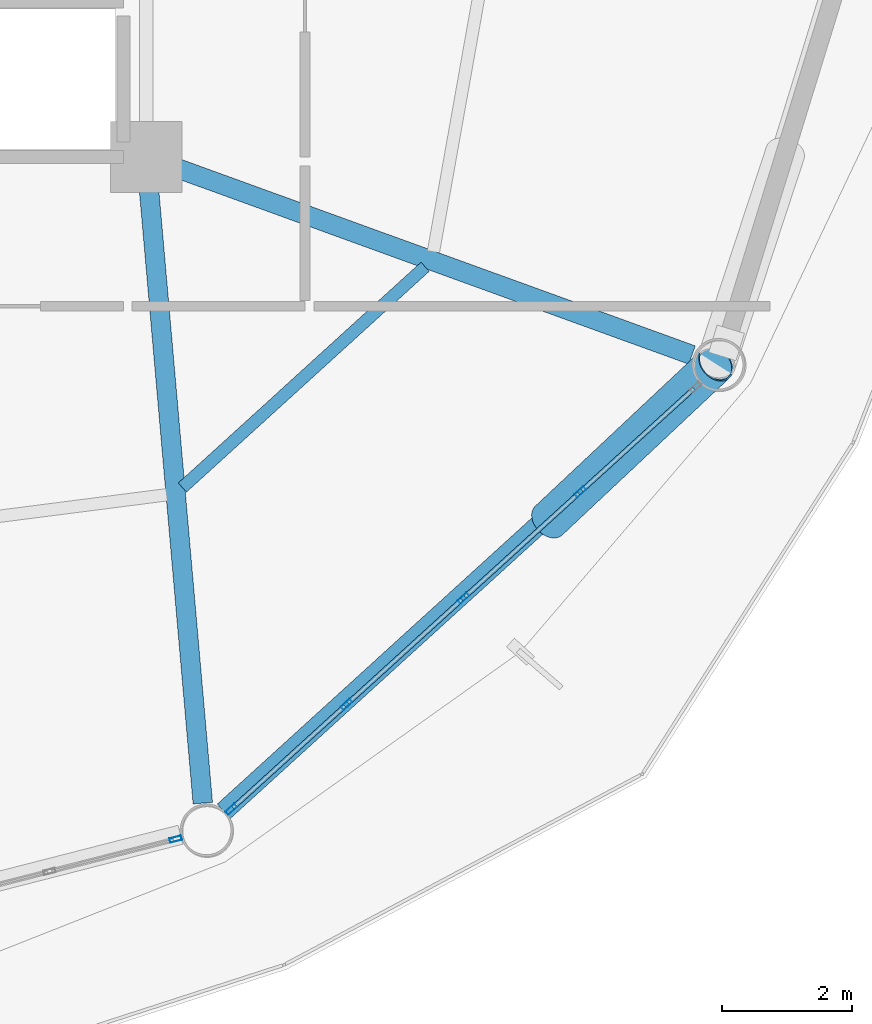
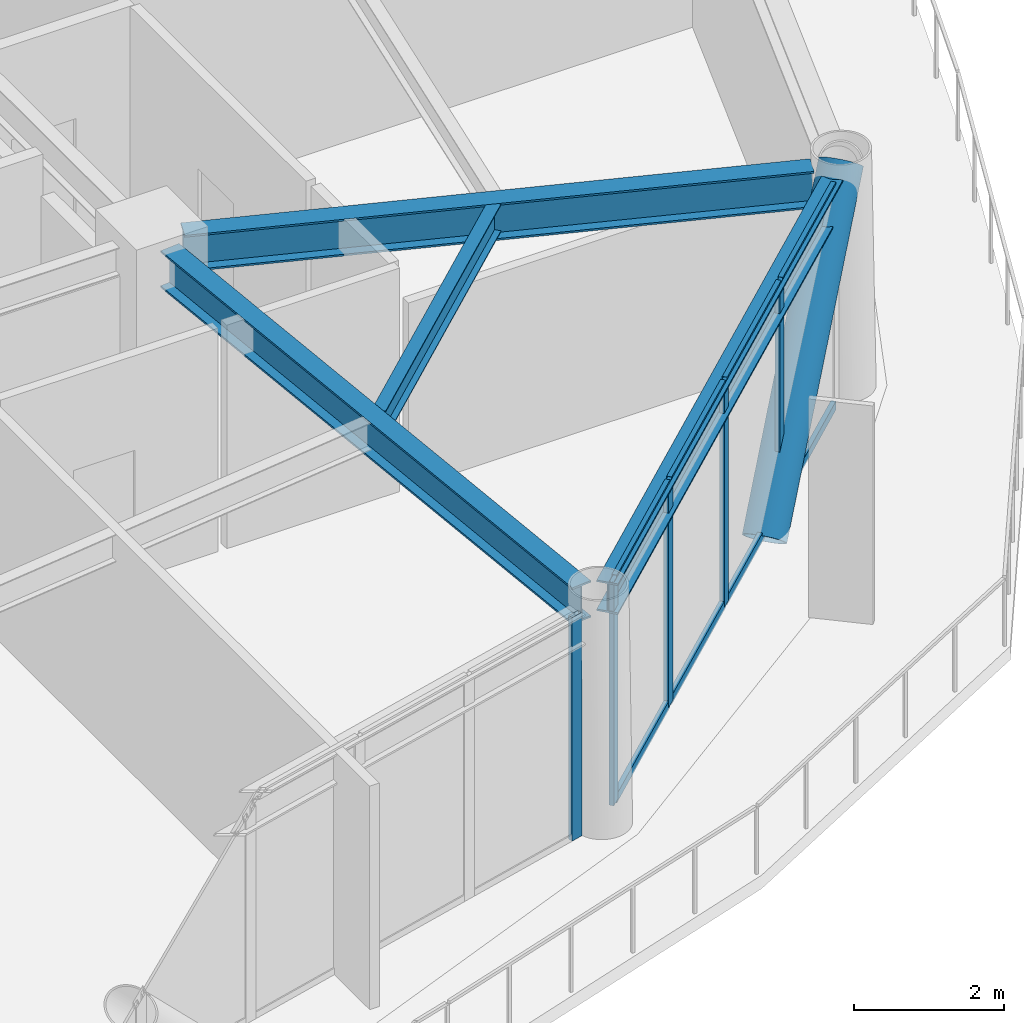
# One storey, part 12 of 26: 14 members, 4 beams, 2 elements without a shape of their own.
"""IFC4 building model written with IfcOpenShell, lengths in metres."""

from ifc_helpers import new_model, si_unit, direction, frame, origin, origin_2d, place, context, subcontext, project, spatial, hollow_rectangle, hollow_circle, i_section, extrude, material, layer, layer_set, material_profile, profile_set, type_object, element, aggregate, save


model = new_model("IFC4")

# Units and contexts
model_context = context("Model", 3, precision=1e-05, world=origin(), true_north=direction((0.0, 1.0)))
body_context = subcontext(model_context, "Body", "Model", "MODEL_VIEW")
ifc_project = project(units=[si_unit("LENGTHUNIT", "METRE"), si_unit("AREAUNIT", "SQUARE_METRE"), si_unit("VOLUMEUNIT", "CUBIC_METRE"), si_unit("PLANEANGLEUNIT", "RADIAN"), si_unit("MASSUNIT", "GRAM", prefix="KILO")], contexts=[model_context])

# Site, building, storey
site_placement = place(None, origin())
site = spatial("IfcSite", under=ifc_project, at=site_placement, CompositionType="ELEMENT")
building_placement = place(site_placement, origin())
building = spatial("IfcBuilding", under=site, at=building_placement, Name="Varnakorn Sky Granary", CompositionType="ELEMENT")
storey_placement = place(building_placement, frame((0.0, 0.0, 95.39990234375)))
storey = spatial("IfcBuildingStorey", under=building, at=storey_placement, Name="L23", CompositionType="ELEMENT", Elevation=95.39990234375)

# Beams
ifc_material_1 = material(Name="Steel S355JR", Category="steel")
ifc_material_profile_1 = material_profile(ifc_material_1, i_section(OverallWidth=0.300048828125, OverallDepth=0.60009765625, WebThickness=0.015380859375, FlangeThickness=0.030029296875, at=origin_2d()), Name="HE 600 B")
ifc_profile_set_1 = profile_set([ifc_material_profile_1], Name="Steel S355JR")
beam_type_1 = type_object("IfcBeamType", Name="BM-RAD-Z2", PredefinedType="BEAM", material=ifc_profile_set_1)
beam_1_placement = place(storey_placement, frame((8.38671875, -7.018310546875, 3.340087890625), z_axis=(0.087352240133, -0.99617748727, 0.0), x_axis=(0.99617748727, 0.087352240133, 0.0)))
element("IfcBeam", 1, at=beam_1_placement, inside=storey, type_object=beam_type_1, Name="Radial Floor Girder RG11 L23", PredefinedType="BEAM", context=body_context, shape_type="SweptSolid", body=[
    extrude(i_section(OverallWidth=0.300048828125, OverallDepth=0.60009765625, WebThickness=0.015380859375, FlangeThickness=0.030029296875, at=origin_2d()), origin(), (0.0, 0.0, 1.0), 9.578125),
])
beam_2_placement = place(storey_placement, frame((8.744873046875, -6.7431640625, 3.340087890625), z_axis=(0.940048009667, -0.341042137457, 0.0), x_axis=(0.341042137457, 0.940048009667, 0.0)))
element("IfcBeam", 2, at=beam_2_placement, inside=storey, type_object=beam_type_1, Name="Radial Floor Girder RG12 L23", PredefinedType="BEAM", context=body_context, shape_type="SweptSolid", body=[
    extrude(i_section(OverallWidth=0.300048828125, OverallDepth=0.60009765625, WebThickness=0.015380859375, FlangeThickness=0.030029296875, at=origin_2d()), origin(), (0.0, 0.0, 1.0), 8.531005859375),
])
ifc_material_profile_2 = material_profile(ifc_material_1, i_section(OverallWidth=0.18994140625, OverallDepth=0.449951171875, WebThickness=0.009521484375, FlangeThickness=0.0146484375, at=origin_2d()), Name="IPE 450")
ifc_profile_set_2 = profile_set([ifc_material_profile_2], Name="Steel S355JR")
beam_type_2 = type_object("IfcBeamType", Name="BM-SEC-Z2", PredefinedType="BEAM", material=ifc_profile_set_2)
beam_3_placement = place(storey_placement, frame((8.90869140625, -11.69482421875, 3.4150390625), z_axis=(0.739878918068, 0.672740058714, 0.0), x_axis=(-0.672740058714, 0.739878918068, 0.0)))
element("IfcBeam", 3, at=beam_3_placement, inside=storey, type_object=beam_type_2, Name="Secondary Floor Chord Beam MSB11 L23", PredefinedType="BEAM", context=body_context, shape_type="SweptSolid", body=[
    extrude(i_section(OverallWidth=0.18994140625, OverallDepth=0.449951171875, WebThickness=0.009521484375, FlangeThickness=0.0146484375, at=origin_2d()), origin(), (0.0, 0.0, 1.0), 5.05810546875),
])
ifc_material_profile_3 = material_profile(ifc_material_1, i_section(OverallWidth=0.300048828125, OverallDepth=0.5, WebThickness=0.014404296875, FlangeThickness=0.028076171875, at=origin_2d()), Name="HE 500 B")
ifc_profile_set_3 = profile_set([ifc_material_profile_3], Name="Steel S355JR")
beam_type_3 = type_object("IfcBeamType", Name="BM-SPD-Z2", PredefinedType="SPANDREL", material=ifc_profile_set_3)
beam_4_placement = place(storey_placement, frame((9.547119140625, -16.686279296875, 3.39013671875), z_axis=(0.739721624691, 0.67291300921, 0.0), x_axis=(-0.67291300921, 0.739721624691, 0.0)))
element("IfcBeam", 4, at=beam_4_placement, inside=storey, type_object=beam_type_3, Name="Perimeter Spandrel Ring Beam RB11 L23", PredefinedType="SPANDREL", context=body_context, shape_type="SweptSolid", body=[
    extrude(i_section(OverallWidth=0.300048828125, OverallDepth=0.5, WebThickness=0.014404296875, FlangeThickness=0.028076171875, at=origin_2d()), origin(), (0.0, 0.0, 1.0), 9.863037109375),
])

# Curtain wall, member
ifc_material_2 = material(Name="Anodised Bronze Aluminium Alloy 6063-T6", Category="aluminium")
ifc_layer = layer(ifc_material_2, 0.18994140625, Name="Anodised Bronze Aluminium Alloy 6063-T6")
ifc_layer_set = layer_set([ifc_layer], Name="Anodised Bronze Aluminium Alloy 6063-T6")
curtain_wall_type = type_object("IfcCurtainWallType", Name="CW-FRM-1", PredefinedType="USERDEFINED", material=ifc_layer_set)
curtain_wall_1_placement = place(storey_placement, origin())
curtain_wall_1 = element("IfcCurtainWall", 5, at=curtain_wall_1_placement, inside=storey, type_object=curtain_wall_type, Name="Unitised Curtain Wall CW3 CW-L23-B10", ObjectType="CURTAIN WALL", PredefinedType="USERDEFINED")
ifc_material_profile_4 = material_profile(ifc_material_2, hollow_rectangle(XDim=0.070068359375, YDim=0.18505859375, WallThickness=0.00390625, at=origin_2d()), Name="ALU MULL 70x185")
ifc_profile_set_4 = profile_set([ifc_material_profile_4], Name="Anodised Bronze Aluminium Alloy 6063-T6")
member_type_1 = type_object("IfcMemberType", Name="CW-FRM-1-MULL", PredefinedType="MULLION", material=ifc_profile_set_4)
member_1_placement = place(storey_placement, frame((8.80517578125, -17.11572265625, 0.0), z_axis=(0.0, 0.0, 1.0), x_axis=(0.248101423339, -0.968734062443, 0.0)))
member_1 = element("IfcMember", 6, at=member_1_placement, type_object=member_type_1, Name="CW3 mullion 1", PredefinedType="MULLION", context=body_context, shape_type="SweptSolid", body=[
    extrude(hollow_rectangle(XDim=0.070068359375, YDim=0.18505859375, WallThickness=0.00390625, at=origin_2d()), origin(), (0.0, 0.0, 1.0), 3.64013671875),
])
aggregate(curtain_wall_1, [member_1])

# Curtain wall, members
curtain_wall_2_placement = place(storey_placement, origin())
curtain_wall_2 = element("IfcCurtainWall", 7, at=curtain_wall_2_placement, inside=storey, type_object=curtain_wall_type, Name="Unitised Curtain Wall CW3 CW-L23-B11", ObjectType="CURTAIN WALL", PredefinedType="USERDEFINED")
member_2_placement = place(storey_placement, frame((15.043212890625, -11.76220703125, 0.0), z_axis=(0.0, 0.0, 1.0), x_axis=(0.67267177226, -0.739941002246, 0.0)))
member_2 = element("IfcMember", 8, at=member_2_placement, type_object=member_type_1, Name="CW3 mullion 2", PredefinedType="MULLION", context=body_context, shape_type="SweptSolid", body=[
    extrude(hollow_rectangle(XDim=0.070068359375, YDim=0.18505859375, WallThickness=0.00390625, at=origin_2d()), origin(), (0.0, 0.0, 1.0), 3.64013671875),
])
member_3_placement = place(storey_placement, frame((13.24072265625, -13.400634765625, 0.0), z_axis=(0.0, 0.0, 1.0), x_axis=(0.67267177226, -0.739941002246, 0.0)))
member_3 = element("IfcMember", 9, at=member_3_placement, type_object=member_type_1, Name="CW3 mullion 3", PredefinedType="MULLION", context=body_context, shape_type="SweptSolid", body=[
    extrude(hollow_rectangle(XDim=0.070068359375, YDim=0.18505859375, WallThickness=0.00390625, at=origin_2d()), origin(), (0.0, 0.0, 1.0), 3.64013671875),
])
member_4_placement = place(storey_placement, frame((11.4384765625, -15.0390625, 0.0), z_axis=(0.0, 0.0, 1.0), x_axis=(0.67267177226, -0.739941002246, 0.0)))
member_4 = element("IfcMember", 10, at=member_4_placement, type_object=member_type_1, Name="CW3 mullion 4", PredefinedType="MULLION", context=body_context, shape_type="SweptSolid", body=[
    extrude(hollow_rectangle(XDim=0.070068359375, YDim=0.18505859375, WallThickness=0.00390625, at=origin_2d()), origin(), (0.0, 0.0, 1.0), 3.64013671875),
])
member_5_placement = place(storey_placement, frame((9.662109375, -16.654052734375, 0.0), z_axis=(0.0, 0.0, 1.0), x_axis=(0.67267177226, -0.739941002246, 0.0)))
member_5 = element("IfcMember", 11, at=member_5_placement, type_object=member_type_1, Name="CW3 mullion 5", PredefinedType="MULLION", context=body_context, shape_type="SweptSolid", body=[
    extrude(hollow_rectangle(XDim=0.070068359375, YDim=0.18505859375, WallThickness=0.00390625, at=origin_2d()), origin(), (0.0, 0.0, 1.0), 3.64013671875),
])
ifc_material_profile_5 = material_profile(ifc_material_2, hollow_rectangle(XDim=0.070068359375, YDim=0.139892578125, WallThickness=0.00341796875, at=origin_2d()), Name="ALU TRAN 70x140")
ifc_profile_set_5 = profile_set([ifc_material_profile_5], Name="Anodised Bronze Aluminium Alloy 6063-T6")
member_type_2 = type_object("IfcMemberType", Name="CW-FRM-1-TRAN", PredefinedType="USERDEFINED", material=ifc_profile_set_5)
member_6_placement = place(storey_placement, frame((16.793701171875, -10.1708984375, 0.03515625), z_axis=(-0.739930593984, -0.672683221201, 0.0), x_axis=(0.672683221201, -0.739930593984, 0.0)))
member_6 = element("IfcMember", 12, at=member_6_placement, type_object=member_type_2, Name="CW3 transom 1.1", ObjectType="TRANSOM", PredefinedType="USERDEFINED", context=body_context, shape_type="SweptSolid", body=[
    extrude(hollow_rectangle(XDim=0.070068359375, YDim=0.139892578125, WallThickness=0.00341796875, at=origin_2d()), origin(), (0.0, 0.0, 1.0), 2.330810546875),
])
member_7_placement = place(storey_placement, frame((16.793701171875, -10.1708984375, 3.60498046875), z_axis=(-0.739930593984, -0.672683221201, 0.0), x_axis=(0.672683221201, -0.739930593984, 0.0)))
member_7 = element("IfcMember", 13, at=member_7_placement, type_object=member_type_2, Name="CW3 transom 1.2", ObjectType="TRANSOM", PredefinedType="USERDEFINED", context=body_context, shape_type="SweptSolid", body=[
    extrude(hollow_rectangle(XDim=0.070068359375, YDim=0.139892578125, WallThickness=0.00341796875, at=origin_2d()), origin(), (0.0, 0.0, 1.0), 2.330810546875),
])
member_8_placement = place(storey_placement, frame((15.01708984375, -11.785888671875, 0.03515625), z_axis=(-0.739949412759, -0.672662520553, 0.0), x_axis=(0.672662520553, -0.739949412759, 0.0)))
member_8 = element("IfcMember", 14, at=member_8_placement, type_object=member_type_2, Name="CW3 transom 2.1", ObjectType="TRANSOM", PredefinedType="USERDEFINED", context=body_context, shape_type="SweptSolid", body=[
    extrude(hollow_rectangle(XDim=0.070068359375, YDim=0.139892578125, WallThickness=0.00341796875, at=origin_2d()), origin(), (0.0, 0.0, 1.0), 2.36572265625),
])
member_9_placement = place(storey_placement, frame((15.01708984375, -11.785888671875, 3.60498046875), z_axis=(-0.739949412759, -0.672662520553, 0.0), x_axis=(0.672662520553, -0.739949412759, 0.0)))
member_9 = element("IfcMember", 15, at=member_9_placement, type_object=member_type_2, Name="CW3 transom 2.2", ObjectType="TRANSOM", PredefinedType="USERDEFINED", context=body_context, shape_type="SweptSolid", body=[
    extrude(hollow_rectangle(XDim=0.070068359375, YDim=0.139892578125, WallThickness=0.00341796875, at=origin_2d()), origin(), (0.0, 0.0, 1.0), 2.36572265625),
])
member_10_placement = place(storey_placement, frame((13.21484375, -13.42431640625, 0.03515625), z_axis=(-0.739949412759, -0.672662520553, 0.0), x_axis=(0.672662520553, -0.739949412759, 0.0)))
member_10 = element("IfcMember", 16, at=member_10_placement, type_object=member_type_2, Name="CW3 transom 3.1", ObjectType="TRANSOM", PredefinedType="USERDEFINED", context=body_context, shape_type="SweptSolid", body=[
    extrude(hollow_rectangle(XDim=0.070068359375, YDim=0.139892578125, WallThickness=0.00341796875, at=origin_2d()), origin(), (0.0, 0.0, 1.0), 2.36572265625),
])
member_11_placement = place(storey_placement, frame((13.21484375, -13.42431640625, 3.60498046875), z_axis=(-0.739949412759, -0.672662520553, 0.0), x_axis=(0.672662520553, -0.739949412759, 0.0)))
member_11 = element("IfcMember", 17, at=member_11_placement, type_object=member_type_2, Name="CW3 transom 3.2", ObjectType="TRANSOM", PredefinedType="USERDEFINED", context=body_context, shape_type="SweptSolid", body=[
    extrude(hollow_rectangle(XDim=0.070068359375, YDim=0.139892578125, WallThickness=0.00341796875, at=origin_2d()), origin(), (0.0, 0.0, 1.0), 2.36572265625),
])
member_12_placement = place(storey_placement, frame((11.41259765625, -15.062744140625, 0.03515625), z_axis=(-0.739930593984, -0.672683221201, 0.0), x_axis=(0.672683221201, -0.739930593984, 0.0)))
member_12 = element("IfcMember", 18, at=member_12_placement, type_object=member_type_2, Name="CW3 transom 4.1", ObjectType="TRANSOM", PredefinedType="USERDEFINED", context=body_context, shape_type="SweptSolid", body=[
    extrude(hollow_rectangle(XDim=0.070068359375, YDim=0.139892578125, WallThickness=0.00341796875, at=origin_2d()), origin(), (0.0, 0.0, 1.0), 2.330810546875),
])
member_13_placement = place(storey_placement, frame((11.41259765625, -15.062744140625, 3.60498046875), z_axis=(-0.739930593984, -0.672683221201, 0.0), x_axis=(0.672683221201, -0.739930593984, 0.0)))
member_13 = element("IfcMember", 19, at=member_13_placement, type_object=member_type_2, Name="CW3 transom 4.2", ObjectType="TRANSOM", PredefinedType="USERDEFINED", context=body_context, shape_type="SweptSolid", body=[
    extrude(hollow_rectangle(XDim=0.070068359375, YDim=0.139892578125, WallThickness=0.00341796875, at=origin_2d()), origin(), (0.0, 0.0, 1.0), 2.330810546875),
])
aggregate(curtain_wall_2, [member_2, member_3, member_4, member_5, member_6, member_7, member_8, member_9, member_10, member_11, member_12, member_13])

# Member
ifc_material_3 = material(Name="Steel S460M", Category="steel")
ifc_material_profile_6 = material_profile(ifc_material_3, hollow_circle(Radius=0.304931640625, WallThickness=0.022216796875, at=origin_2d()), Name="CHS 610x22")
ifc_profile_set_6 = profile_set([ifc_material_profile_6], Name="Steel S460M")
member_type_3 = type_object("IfcMemberType", Name="MB-DIAG-T1", PredefinedType="BRACE", material=ifc_profile_set_6)
member_14_placement = place(storey_placement, frame((14.557373046875, -12.203857421875, -0.1298828125), z_axis=(0.498454714674, 0.468021946732, 0.729724848691), x_axis=(-0.684501882631, 0.729011092285, 0.0)))
element("IfcMember", 20, at=member_14_placement, inside=storey, type_object=member_type_3, Name="Perimeter CHS Diagrid Brace DG11 L23", PredefinedType="BRACE", context=body_context, shape_type="SweptSolid", body=[
    extrude(hollow_circle(Radius=0.304931640625, WallThickness=0.022216796875, at=origin_2d()), origin(), (0.0, 0.0, 1.0), 5.166259765625),
])

save(model, "model.ifc")
